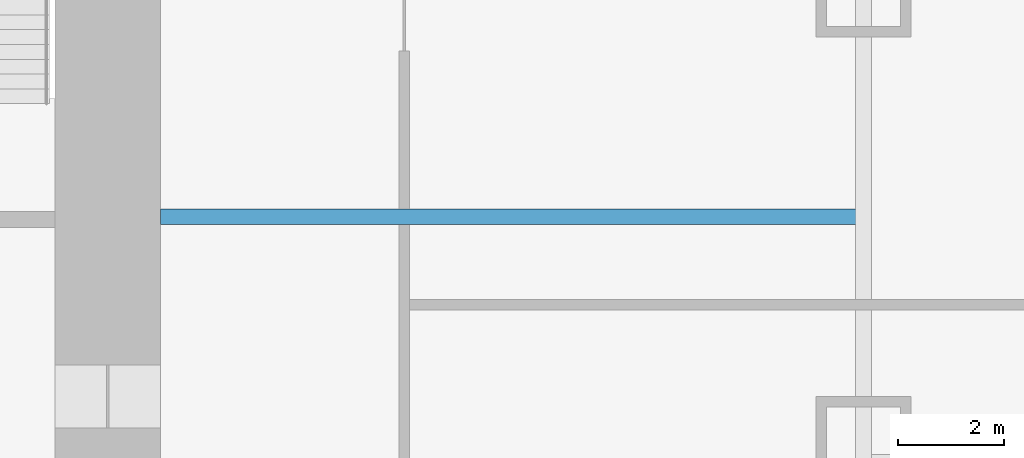
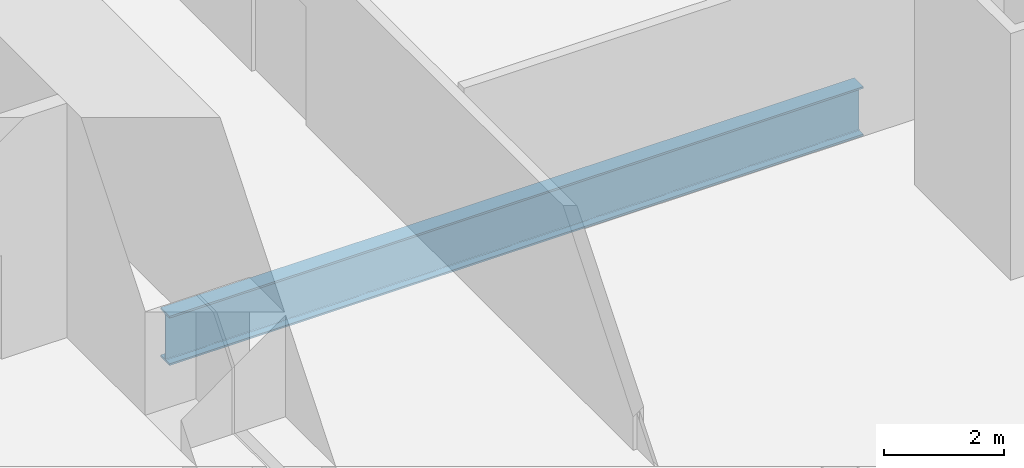
# One storey, part 5 of 22: 1 beam.
"""IFC4 building model written with IfcOpenShell, lengths in metres."""

from ifc_helpers import new_model, si_unit, direction, frame, origin, origin_2d, place, context, subcontext, project, spatial, i_section, extrude, material, material_profile, profile_set, type_object, element, save


model = new_model("IFC4")

# Units and contexts
model_context = context("Model", 3, precision=1e-05, world=origin(), true_north=direction((0.0, 1.0)))
body_context = subcontext(model_context, "Body", "Model", "MODEL_VIEW")
ifc_project = project(units=[si_unit("LENGTHUNIT", "METRE"), si_unit("AREAUNIT", "SQUARE_METRE"), si_unit("VOLUMEUNIT", "CUBIC_METRE"), si_unit("PLANEANGLEUNIT", "RADIAN"), si_unit("MASSUNIT", "GRAM", prefix="KILO")], contexts=[model_context])

# Site, building, storey
site_placement = place(None, origin())
site = spatial("IfcSite", under=ifc_project, at=site_placement, CompositionType="ELEMENT")
building_placement = place(site_placement, origin())
building = spatial("IfcBuilding", under=site, at=building_placement, Name="Khuree Lantern Residences", CompositionType="ELEMENT")
storey_placement = place(building_placement, frame((0.0, 0.0, 16.0)))
storey = spatial("IfcBuildingStorey", under=building, at=storey_placement, Name="L03", CompositionType="ELEMENT", Elevation=16.0)

# Beam
ifc_material = material(Name="Steel S355", Category="steel")
ifc_material_profile = material_profile(ifc_material, i_section(OverallWidth=0.300048828125, OverallDepth=1.0, WebThickness=0.01904296875, FlangeThickness=0.035888671875, FilletRadius=0.030029296875, at=origin_2d()), Name="HE 1000 B")
ifc_profile_set = profile_set([ifc_material_profile], Name="Steel S355")
beam_type = type_object("IfcBeamType", Name="B-03 SECONDARY BEAM HE 1000 B", PredefinedType="BEAM", material=ifc_profile_set)
beam_placement = place(storey_placement, frame((29.800048828125, -5.0, -0.800048828125), z_axis=(-1.0, 0.0, 0.0), x_axis=(0.0, -1.0, 0.0)))
element("IfcBeam", 1, at=beam_placement, inside=storey, type_object=beam_type, Name="Secondary beam E4", PredefinedType="BEAM", context=body_context, shape_type="SweptSolid", body=[
    extrude(i_section(OverallWidth=0.300048828125, OverallDepth=1.0, WebThickness=0.01904296875, FlangeThickness=0.035888671875, FilletRadius=0.030029296875, at=origin_2d()), origin(), (0.0, 0.0, 1.0), 13.300048828125),
])

save(model, "model.ifc")
